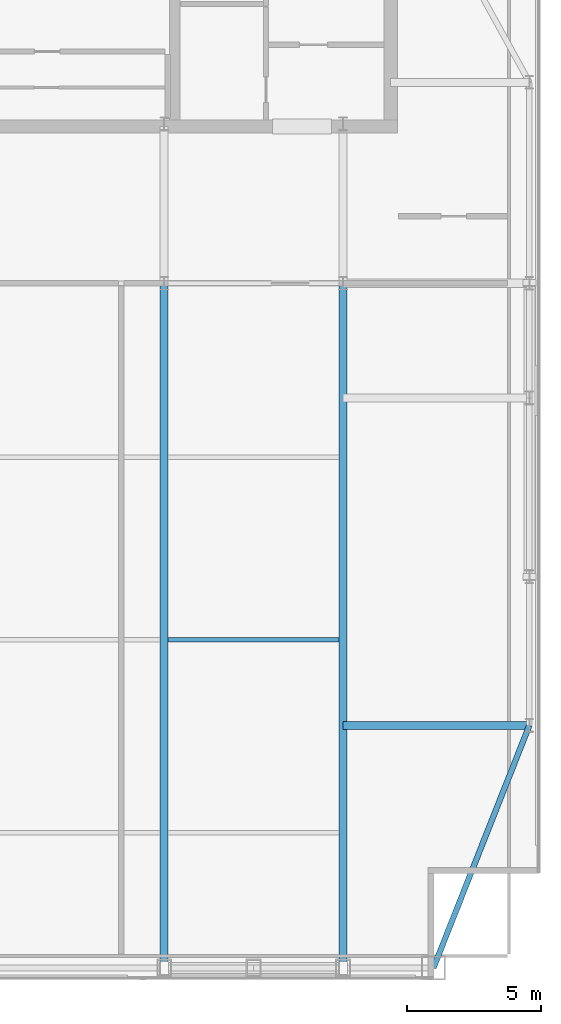
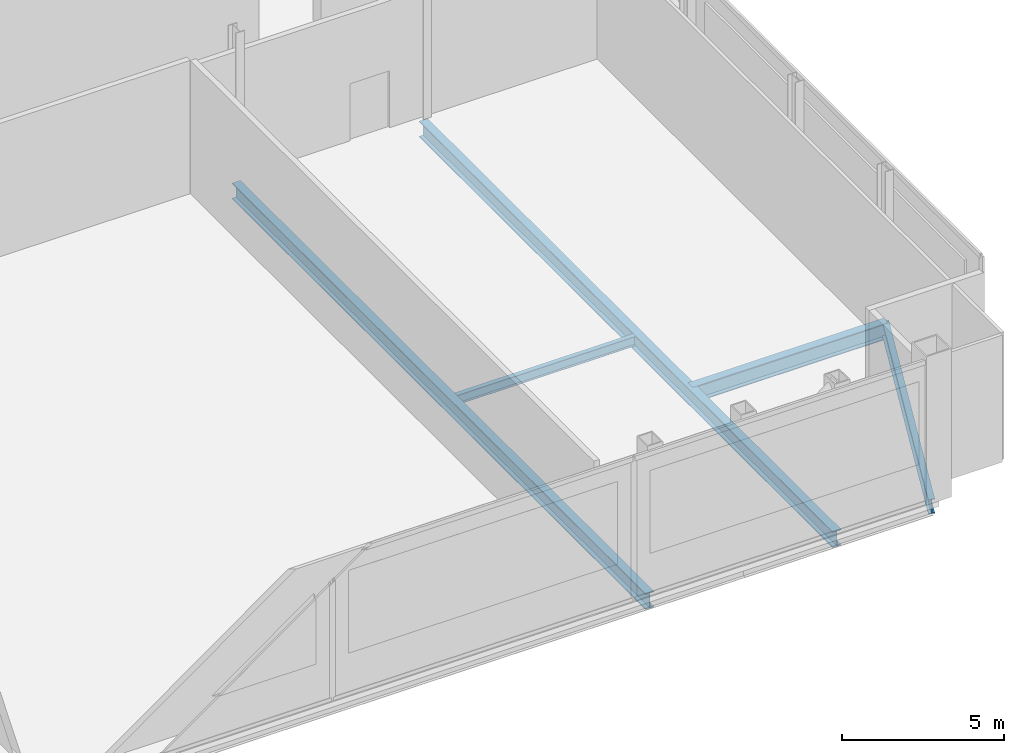
# One storey, part 11 of 22: 5 beams.
"""IFC4 building model written with IfcOpenShell, lengths in metres."""

from ifc_helpers import new_model, si_unit, direction, frame, origin, origin_2d, place, context, subcontext, project, spatial, i_section, extrude, material, material_profile, profile_set, type_object, element, save


model = new_model("IFC4")

# Units and contexts
model_context = context("Model", 3, precision=1e-05, world=origin(), true_north=direction((0.0, 1.0)))
body_context = subcontext(model_context, "Body", "Model", "MODEL_VIEW")
ifc_project = project(units=[si_unit("LENGTHUNIT", "METRE"), si_unit("AREAUNIT", "SQUARE_METRE"), si_unit("VOLUMEUNIT", "CUBIC_METRE"), si_unit("PLANEANGLEUNIT", "RADIAN"), si_unit("MASSUNIT", "GRAM", prefix="KILO")], contexts=[model_context])

# Site, building, storey
site_placement = place(None, origin())
site = spatial("IfcSite", under=ifc_project, at=site_placement, CompositionType="ELEMENT")
building_placement = place(site_placement, origin())
building = spatial("IfcBuilding", under=site, at=building_placement, Name="Khoronbel Lancet Exchange", CompositionType="ELEMENT")
storey_placement = place(building_placement, frame((0.0, 0.0, 373.0)))
storey = spatial("IfcBuildingStorey", under=building, at=storey_placement, Name="L95", CompositionType="ELEMENT", Elevation=373.0)

# Beams
ifc_material = material(Name="Steel S355", Category="steel")
ifc_material_profile_1 = material_profile(ifc_material, i_section(OverallWidth=0.300048828125, OverallDepth=0.60009765625, WebThickness=0.015380859375, FlangeThickness=0.030029296875, at=origin_2d()), Name="HEB 600")
ifc_profile_set_1 = profile_set([ifc_material_profile_1], Name="Steel S355")
beam_type_1 = type_object("IfcBeamType", Name="BM-BG5", PredefinedType="BEAM", material=ifc_profile_set_1)
for number, where, z_axis, x_axis, name in (
    (1, (48.0, 10.14990234375, -0.5), (0.0, 1.0, 0.0), (-1.0, 0.0, 0.0), "Level L95 south primary girder GS5"),
    (2, (54.675048828125, 10.14990234375, -0.5), (0.0, 1.0, 0.0), (-1.0, 0.0, 0.0), "Level L95 south primary girder GS6"),
):
    element("IfcBeam", number, at=place(storey_placement, frame(where, z_axis=z_axis, x_axis=x_axis)), inside=storey, type_object=beam_type_1, Name=name, PredefinedType="BEAM", context=body_context, shape_type="SweptSolid", body=[
        extrude(i_section(OverallWidth=0.300048828125, OverallDepth=0.60009765625, WebThickness=0.015380859375, FlangeThickness=0.030029296875, at=origin_2d()), origin(), (0.0, 0.0, 1.0), 25.550048828125),
    ])
beam_1_placement = place(storey_placement, frame((54.675048828125, 19.199951171875, -0.5), z_axis=(1.0, 0.0, 0.0), x_axis=(0.0, 1.0, 0.0)))
element("IfcBeam", 3, at=beam_1_placement, inside=storey, type_object=beam_type_1, Name="Level L95 east lens tie girder LG1E", PredefinedType="BEAM", context=body_context, shape_type="SweptSolid", body=[
    extrude(i_section(OverallWidth=0.300048828125, OverallDepth=0.60009765625, WebThickness=0.015380859375, FlangeThickness=0.030029296875, at=origin_2d()), origin(), (0.0, 0.0, 1.0), 6.954833984375),
])
ifc_material_profile_2 = material_profile(ifc_material, i_section(OverallWidth=0.169921875, OverallDepth=0.360107421875, WebThickness=0.008056640625, FlangeThickness=0.0126953125, at=origin_2d()), Name="IPE 360")
ifc_profile_set_2 = profile_set([ifc_material_profile_2], Name="Steel S355")
beam_type_2 = type_object("IfcBeamType", Name="BM-BJ6", PredefinedType="JOIST", material=ifc_profile_set_2)
beam_2_placement = place(storey_placement, frame((48.14990234375, 22.39990234375, -0.3798828125), z_axis=(1.0, 0.0, 0.0), x_axis=(0.0, 1.0, 0.0)))
element("IfcBeam", 4, at=beam_2_placement, inside=storey, type_object=beam_type_2, Name="Level L95 secondary composite joist J06", PredefinedType="JOIST", context=body_context, shape_type="SweptSolid", body=[
    extrude(i_section(OverallWidth=0.169921875, OverallDepth=0.360107421875, WebThickness=0.008056640625, FlangeThickness=0.0126953125, at=origin_2d()), origin(), (0.0, 0.0, 1.0), 6.375),
])
ifc_material_profile_3 = material_profile(ifc_material, i_section(OverallWidth=0.2099609375, OverallDepth=0.550048828125, WebThickness=0.010986328125, FlangeThickness=0.01708984375, at=origin_2d()), Name="IPE 550")
ifc_profile_set_3 = profile_set([ifc_material_profile_3], Name="Steel S355")
beam_type_3 = type_object("IfcBeamType", Name="BM-BSP3", PredefinedType="SPANDREL", material=ifc_profile_set_3)
beam_3_placement = place(storey_placement, frame((58.050048828125, 10.14990234375, -0.47509765625), z_axis=(0.367828403855, 0.929893684954, 0.0), x_axis=(-0.929893684954, 0.367828403855, 0.0)))
element("IfcBeam", 5, at=beam_3_placement, inside=storey, type_object=beam_type_3, Name="Level L95 perimeter spandrel beam SP08", PredefinedType="SPANDREL", context=body_context, shape_type="SweptSolid", body=[
    extrude(i_section(OverallWidth=0.2099609375, OverallDepth=0.550048828125, WebThickness=0.010986328125, FlangeThickness=0.01708984375, at=origin_2d()), origin(), (0.0, 0.0, 1.0), 9.732421875),
])

save(model, "model.ifc")
